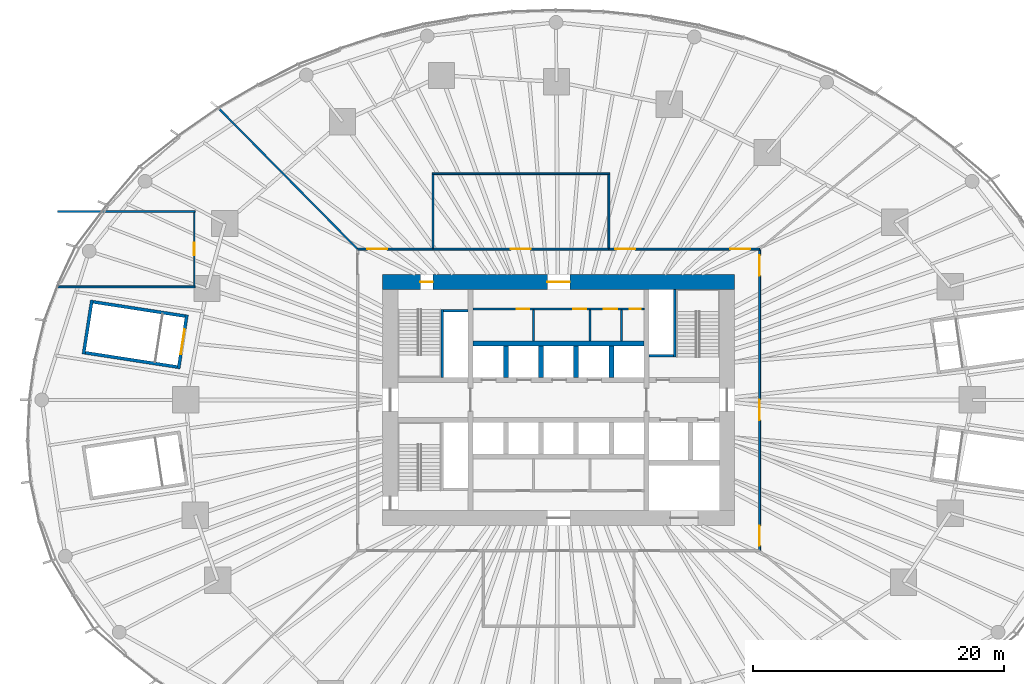
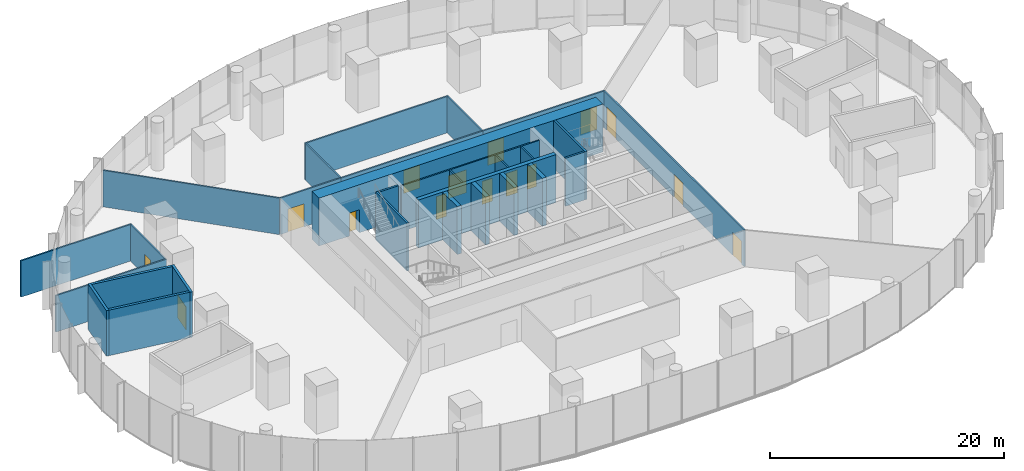
# One storey, part 13 of 27: 29 walls, 15 doors, 15 openings.
"""IFC4 building model written with IfcOpenShell, lengths in metres."""

from ifc_helpers import new_model, si_unit, direction, frame, frame_2d, origin, place, context, subcontext, project, spatial, rectangle, extrude, material, layer, layer_set, type_object, element, fill, save


model = new_model("IFC4")

# Units and contexts
model_context = context("Model", 3, precision=1e-05, world=origin(), true_north=direction((0.0, 1.0)))
body_context = subcontext(model_context, "Body", "Model", "MODEL_VIEW")
ifc_project = project(units=[si_unit("LENGTHUNIT", "METRE"), si_unit("AREAUNIT", "SQUARE_METRE"), si_unit("VOLUMEUNIT", "CUBIC_METRE"), si_unit("PLANEANGLEUNIT", "RADIAN"), si_unit("MASSUNIT", "GRAM", prefix="KILO")], contexts=[model_context])

# Site, building, storey
site_placement = place(None, origin())
site = spatial("IfcSite", under=ifc_project, at=site_placement, CompositionType="ELEMENT")
building_placement = place(site_placement, origin())
building = spatial("IfcBuilding", under=site, at=building_placement, Name="Ghaith Harvest Tower", CompositionType="ELEMENT")
storey_placement = place(building_placement, frame((0.0, 0.0, 10.0)))
storey = spatial("IfcBuildingStorey", under=building, at=storey_placement, Name="L02", CompositionType="ELEMENT", Elevation=10.0)

# Wall, openings, doors
ifc_material_1 = material(Name="Concrete blockwork, fair-faced", Category="masonry")
ifc_layer_1 = layer(ifc_material_1, 0.139892578125)
ifc_layer_set_1 = layer_set([ifc_layer_1], Name="CORE PARTITION 140")
wall_type_1 = type_object("IfcWallType", Name="CORE PARTITION 140", PredefinedType="PARTITIONING", material=ifc_layer_set_1)
wall_1_placement = place(storey_placement, frame((-6.800048828125, 7.22998046875, 0.0), z_axis=(0.0, 0.0, 1.0), x_axis=(1.0, 0.0, 0.0)))
wall_1 = element("IfcWall", 1, at=wall_1_placement, inside=storey, type_object=wall_type_1, Name="Core partition L02", PredefinedType="PARTITIONING", context=body_context, shape_type="SweptSolid", body=[
    extrude(rectangle(XDim=13.60009765625, YDim=0.139892578125, at=frame_2d((6.800048828125, 0.0))), origin(), (0.0, 0.0, 1.0), 4.75),
])
opening_1_placement = place(wall_1_placement, frame((3.47998046875, 0.0, 0.0)))
opening_1 = element("IfcOpeningElement", 2, at=opening_1_placement, cuts=wall_1, Name="Opening 02-008", PredefinedType="OPENING", context=body_context, shape_type="SweptSolid", body=[
    extrude(rectangle(XDim=1.0, YDim=2.39990234375, at=frame_2d((0.5, 1.199951171875))), frame((0.0, 0.080078125, 0.0), z_axis=(0.0, -1.0, 0.0), x_axis=(1.0, 0.0, 0.0)), (0.0, 0.0, 1.0), 0.159912109375),
])
opening_2_placement = place(wall_1_placement, frame((7.97998046875, 0.0, 0.0)))
opening_2 = element("IfcOpeningElement", 3, at=opening_2_placement, cuts=wall_1, Name="Opening 02-009", PredefinedType="OPENING", context=body_context, shape_type="SweptSolid", body=[
    extrude(rectangle(XDim=1.0, YDim=2.39990234375, at=frame_2d((0.5, 1.199951171875))), frame((0.0, 0.080078125, 0.0), z_axis=(0.0, -1.0, 0.0), x_axis=(1.0, 0.0, 0.0)), (0.0, 0.0, 1.0), 0.159912109375),
])
opening_3_placement = place(wall_1_placement, frame((10.3798828125, 0.0, 0.0)))
opening_3 = element("IfcOpeningElement", 4, at=opening_3_placement, cuts=wall_1, Name="Opening 02-010", PredefinedType="OPENING", context=body_context, shape_type="SweptSolid", body=[
    extrude(rectangle(XDim=1.10009765625, YDim=2.39990234375, at=frame_2d((0.550048828125, 1.199951171875))), frame((0.0, 0.080078125, 0.0), z_axis=(0.0, -1.0, 0.0), x_axis=(1.0, 0.0, 0.0)), (0.0, 0.0, 1.0), 0.159912109375),
])
opening_4_placement = place(wall_1_placement, frame((12.449951171875, 0.0, 0.0)))
opening_4 = element("IfcOpeningElement", 5, at=opening_4_placement, cuts=wall_1, Name="Opening 02-011", PredefinedType="OPENING", context=body_context, shape_type="SweptSolid", body=[
    extrude(rectangle(XDim=0.89990234375, YDim=2.39990234375, at=frame_2d((0.449951171875, 1.199951171875))), frame((0.0, 0.080078125, 0.0), z_axis=(0.0, -1.0, 0.0), x_axis=(1.0, 0.0, 0.0)), (0.0, 0.0, 1.0), 0.159912109375),
])
ifc_material_2 = material(Name="Steel fire door", Category="steel")
door_type_1 = type_object("IfcDoorType", Name="D3 FD90 1000x2400", OperationType="SINGLE_SWING_LEFT", PredefinedType="DOOR", material=ifc_material_2)
door_1_placement = place(opening_1_placement, origin())
door_1 = element("IfcDoor", 6, at=door_1_placement, inside=storey, type_object=door_type_1, Name="Male WC door", OperationType="SINGLE_SWING_LEFT", OverallHeight=2.39990234375, OverallWidth=1.0, PredefinedType="DOOR", context=body_context, shape_type="SweptSolid", body=[
    extrude(rectangle(XDim=1.0, YDim=2.39990234375, at=frame_2d((0.5, 1.199951171875))), frame((0.0, 0.02490234375, 0.0), z_axis=(0.0, -1.0, 0.0), x_axis=(1.0, 0.0, 0.0)), (0.0, 0.0, 1.0), 0.050048828125),
])
fill(opening_1, door_1)
door_2_placement = place(opening_2_placement, origin())
door_2 = element("IfcDoor", 7, at=door_2_placement, inside=storey, type_object=door_type_1, Name="Female WC door", OperationType="SINGLE_SWING_RIGHT", OverallHeight=2.39990234375, OverallWidth=1.0, PredefinedType="DOOR", context=body_context, shape_type="SweptSolid", body=[
    extrude(rectangle(XDim=1.0, YDim=2.39990234375, at=frame_2d((0.5, 1.199951171875))), frame((0.0, 0.02490234375, 0.0), z_axis=(0.0, -1.0, 0.0), x_axis=(1.0, 0.0, 0.0)), (0.0, 0.0, 1.0), 0.050048828125),
])
fill(opening_2, door_2)
ifc_material_3 = material(Name="Steel fire door", Category="steel")
door_type_2 = type_object("IfcDoorType", Name="D5 FD90 900x2400", OperationType="SINGLE_SWING_LEFT", PredefinedType="DOOR", material=ifc_material_3)
door_3_placement = place(opening_4_placement, origin())
door_3 = element("IfcDoor", 8, at=door_3_placement, inside=storey, type_object=door_type_2, Name="Cleaner's store door", OperationType="SINGLE_SWING_RIGHT", OverallHeight=2.39990234375, OverallWidth=0.89990234375, PredefinedType="DOOR", context=body_context, shape_type="SweptSolid", body=[
    extrude(rectangle(XDim=0.89990234375, YDim=2.39990234375, at=frame_2d((0.449951171875, 1.199951171875))), frame((0.0, 0.02490234375, 0.0), z_axis=(0.0, -1.0, 0.0), x_axis=(1.0, 0.0, 0.0)), (0.0, 0.0, 1.0), 0.050048828125),
])
fill(opening_4, door_3)
ifc_material_4 = material(Name="Steel fire door", Category="steel")
door_type_3 = type_object("IfcDoorType", Name="D9 FD90 1100x2400", OperationType="SINGLE_SWING_LEFT", PredefinedType="DOOR", material=ifc_material_4)
door_4_placement = place(opening_3_placement, origin())
door_4 = element("IfcDoor", 9, at=door_4_placement, inside=storey, type_object=door_type_3, Name="Accessible WC door", OperationType="SINGLE_SWING_RIGHT", OverallHeight=2.39990234375, OverallWidth=1.10009765625, PredefinedType="DOOR", context=body_context, shape_type="SweptSolid", body=[
    extrude(rectangle(XDim=1.10009765625, YDim=2.39990234375, at=frame_2d((0.550048828125, 1.199951171875))), frame((0.0, 0.02490234375, 0.0), z_axis=(0.0, -1.0, 0.0), x_axis=(1.0, 0.0, 0.0)), (0.0, 0.0, 1.0), 0.050048828125),
])
fill(opening_3, door_4)

# Walls
for number, where, z_axis, x_axis, name in (
    (10, (-2.0, 4.699951171875, 0.0), (0.0, 0.0, 1.0), (0.0, 1.0, 0.0), "Core partition L02"),
    (11, (2.5, 4.699951171875, 0.0), (0.0, 0.0, 1.0), (0.0, 1.0, 0.0), "Core partition L02"),
    (12, (5.0, 4.699951171875, 0.0), (0.0, 0.0, 1.0), (0.0, 1.0, 0.0), "Core partition L02"),
):
    element("IfcWall", number, at=place(storey_placement, frame(where, z_axis=z_axis, x_axis=x_axis)), inside=storey, type_object=wall_type_1, Name=name, PredefinedType="PARTITIONING", context=body_context, shape_type="SweptSolid", body=[
        extrude(rectangle(XDim=2.4599609375, YDim=0.139892578125, at=frame_2d((1.22998046875, 0.0))), origin(), (0.0, 0.0, 1.0), 4.75),
    ])

# Wall, openings, doors
ifc_material_5 = material(Name="Concrete C70/85", Category="concrete")
ifc_layer_2 = layer(ifc_material_5, 1.199951171875)
ifc_layer_set_2 = layer_set([ifc_layer_2], Name="CORE WALL CW1200")
wall_type_2 = type_object("IfcWallType", Name="CORE WALL CW1200", PredefinedType="SHEAR", material=ifc_layer_set_2)
wall_2_placement = place(storey_placement, frame((14.0, 9.39990234375, 0.0), z_axis=(0.0, 0.0, 1.0), x_axis=(-1.0, 0.0, 0.0)))
wall_2 = element("IfcWall", 13, at=wall_2_placement, inside=storey, type_object=wall_type_2, Name="Core wall N L02", PredefinedType="SHEAR", context=body_context, shape_type="SweptSolid", body=[
    extrude(rectangle(XDim=28.0, YDim=1.199951171875, at=frame_2d((14.0, 0.0))), origin(), (0.0, 0.0, 1.0), 5.0),
])
opening_5_placement = place(wall_2_placement, frame((24.0, 0.0, 0.0)))
opening_5 = element("IfcOpeningElement", 14, at=opening_5_placement, cuts=wall_2, Name="Opening 02-005", PredefinedType="OPENING", context=body_context, shape_type="SweptSolid", body=[
    extrude(rectangle(XDim=1.0, YDim=2.39990234375, at=frame_2d((0.5, 1.199951171875))), frame((0.0, 0.60986328125, 0.0), z_axis=(0.0, -1.0, 0.0), x_axis=(1.0, 0.0, 0.0)), (0.0, 0.0, 1.0), 1.219970703125),
])
opening_6_placement = place(wall_2_placement, frame((13.10009765625, 0.0, 0.0)))
opening_6 = element("IfcOpeningElement", 15, at=opening_6_placement, cuts=wall_2, Name="Opening 02-015", PredefinedType="OPENING", context=body_context, shape_type="SweptSolid", body=[
    extrude(rectangle(XDim=1.800048828125, YDim=2.39990234375, at=frame_2d((0.89990234375, 1.199951171875))), frame((0.0, 0.60986328125, 0.0), z_axis=(0.0, -1.0, 0.0), x_axis=(1.0, 0.0, 0.0)), (0.0, 0.0, 1.0), 1.219970703125),
])
door_5_placement = place(opening_5_placement, origin())
door_5 = element("IfcDoor", 16, at=door_5_placement, inside=storey, type_object=door_type_1, Name="Stair ST1 door", OperationType="SINGLE_SWING_RIGHT", OverallHeight=2.39990234375, OverallWidth=1.0, PredefinedType="DOOR", context=body_context, shape_type="SweptSolid", body=[
    extrude(rectangle(XDim=1.0, YDim=2.39990234375, at=frame_2d((0.5, 1.199951171875))), frame((0.0, 0.02490234375, 0.0), z_axis=(0.0, -1.0, 0.0), x_axis=(1.0, 0.0, 0.0)), (0.0, 0.0, 1.0), 0.050048828125),
])
fill(opening_5, door_5)
ifc_material_6 = material(Name="Steel fire door", Category="steel")
door_type_4 = type_object("IfcDoorType", Name="D4 FD90 PAIR 1800x2400", OperationType="DOUBLE_DOOR_SINGLE_SWING", PredefinedType="DOOR", material=ifc_material_6)
door_6_placement = place(opening_6_placement, origin())
door_6 = element("IfcDoor", 17, at=door_6_placement, inside=storey, type_object=door_type_4, Name="Core service corridor doors", OperationType="DOUBLE_DOOR_SINGLE_SWING", OverallHeight=2.39990234375, OverallWidth=1.800048828125, PredefinedType="DOOR", context=body_context, shape_type="SweptSolid", body=[
    extrude(rectangle(XDim=1.800048828125, YDim=2.39990234375, at=frame_2d((0.89990234375, 1.199951171875))), frame((0.0, 0.02490234375, 0.0), z_axis=(0.0, -1.0, 0.0), x_axis=(1.0, 0.0, 0.0)), (0.0, 0.0, 1.0), 0.050048828125),
])
fill(opening_6, door_6)

# Wall
ifc_material_7 = material(Name="Gypsum board on steel studs", Category="steel")
ifc_layer_3 = layer(ifc_material_7, 0.14990234375)
ifc_layer_set_3 = layer_set([ifc_layer_3], Name="PARTITION 150")
wall_type_3 = type_object("IfcWallType", Name="PARTITION 150", PredefinedType="PARTITIONING", material=ifc_layer_set_3)
wall_3_placement = place(storey_placement, frame((-16.013916015625, 12.01416015625, 0.0), z_axis=(0.0, 0.0, 1.0), x_axis=(-0.702408551969, 0.711773999329, 0.0)))
element("IfcWall", 18, at=wall_3_placement, inside=storey, type_object=wall_type_3, Name="Partition L02 zone division", PredefinedType="PARTITIONING", context=body_context, shape_type="SweptSolid", body=[
    extrude(rectangle(XDim=15.640869140625, YDim=0.14990234375, at=frame_2d((7.8203125, 0.0))), origin(), (0.0, 0.0, 1.0), 3.800048828125),
])

# Wall, opening, door
wall_4_placement = place(storey_placement, frame((-10.0, 12.0, 0.0), z_axis=(0.0, 0.0, 1.0), x_axis=(-1.0, 0.0, 0.0)))
wall_4 = element("IfcWall", 19, at=wall_4_placement, inside=storey, type_object=wall_type_3, Name="Partition L02 zone enclosure", PredefinedType="PARTITIONING", context=body_context, shape_type="SweptSolid", body=[
    extrude(rectangle(XDim=6.0, YDim=0.14990234375, at=frame_2d((3.0, 0.0))), origin(), (0.0, 0.0, 1.0), 3.800048828125),
])
opening_7_placement = place(wall_4_placement, frame((3.64990234375, 0.0, 0.0)))
opening_7 = element("IfcOpeningElement", 20, at=opening_7_placement, cuts=wall_4, Name="Opening 02-032", PredefinedType="OPENING", context=body_context, shape_type="SweptSolid", body=[
    extrude(rectangle(XDim=1.60009765625, YDim=2.39990234375, at=frame_2d((0.800048828125, 1.199951171875))), frame((0.0, 0.0849609375, 0.0), z_axis=(0.0, -1.0, 0.0), x_axis=(1.0, 0.0, 0.0)), (0.0, 0.0, 1.0), 0.169921875),
])
ifc_material_8 = material(Name="Timber door", Category="wood")
door_type_5 = type_object("IfcDoorType", Name="D2 PAIR 1600x2400", OperationType="DOUBLE_DOOR_SINGLE_SWING", PredefinedType="DOOR", material=ifc_material_8)
door_7_placement = place(opening_7_placement, origin())
door_7 = element("IfcDoor", 21, at=door_7_placement, inside=storey, type_object=door_type_5, Name="Farmers' market north door", OperationType="DOUBLE_DOOR_SINGLE_SWING", OverallHeight=2.39990234375, OverallWidth=1.60009765625, PredefinedType="DOOR", context=body_context, shape_type="SweptSolid", body=[
    extrude(rectangle(XDim=1.60009765625, YDim=2.39990234375, at=frame_2d((0.800048828125, 1.199951171875))), frame((0.0, 0.02490234375, 0.0), z_axis=(0.0, -1.0, 0.0), x_axis=(1.0, 0.0, 0.0)), (0.0, 0.0, 1.0), 0.050048828125),
])
fill(opening_7, door_7)

# Wall, openings, doors
wall_5_placement = place(storey_placement, frame((16.0, 12.0, 0.0), z_axis=(0.0, 0.0, 1.0), x_axis=(-1.0, 0.0, 0.0)))
wall_5 = element("IfcWall", 22, at=wall_5_placement, inside=storey, type_object=wall_type_3, Name="Partition L02 zone enclosure", PredefinedType="PARTITIONING", context=body_context, shape_type="SweptSolid", body=[
    extrude(rectangle(XDim=12.0, YDim=0.14990234375, at=frame_2d((6.0, 0.0))), origin(), (0.0, 0.0, 1.0), 3.800048828125),
])
opening_8_placement = place(wall_5_placement, frame((9.89990234375, 0.0, 0.0)))
opening_8 = element("IfcOpeningElement", 23, at=opening_8_placement, cuts=wall_5, Name="Opening 02-031", PredefinedType="OPENING", context=body_context, shape_type="SweptSolid", body=[
    extrude(rectangle(XDim=1.60009765625, YDim=2.39990234375, at=frame_2d((0.800048828125, 1.199951171875))), frame((0.0, 0.0849609375, 0.0), z_axis=(0.0, -1.0, 0.0), x_axis=(1.0, 0.0, 0.0)), (0.0, 0.0, 1.0), 0.169921875),
])
opening_9_placement = place(wall_5_placement, frame((0.75, 0.0, 0.0)))
opening_9 = element("IfcOpeningElement", 24, at=opening_9_placement, cuts=wall_5, Name="Opening 02-033", PredefinedType="OPENING", context=body_context, shape_type="SweptSolid", body=[
    extrude(rectangle(XDim=1.60009765625, YDim=2.39990234375, at=frame_2d((0.800048828125, 1.199951171875))), frame((0.0, 0.0849609375, 0.0), z_axis=(0.0, -1.0, 0.0), x_axis=(1.0, 0.0, 0.0)), (0.0, 0.0, 1.0), 0.169921875),
])
door_8_placement = place(opening_8_placement, origin())
door_8 = element("IfcDoor", 25, at=door_8_placement, inside=storey, type_object=door_type_5, Name="Farmers' market north door", OperationType="DOUBLE_DOOR_SINGLE_SWING", OverallHeight=2.39990234375, OverallWidth=1.60009765625, PredefinedType="DOOR", context=body_context, shape_type="SweptSolid", body=[
    extrude(rectangle(XDim=1.60009765625, YDim=2.39990234375, at=frame_2d((0.800048828125, 1.199951171875))), frame((0.0, 0.02490234375, 0.0), z_axis=(0.0, -1.0, 0.0), x_axis=(1.0, 0.0, 0.0)), (0.0, 0.0, 1.0), 0.050048828125),
])
fill(opening_8, door_8)
door_9_placement = place(opening_9_placement, origin())
door_9 = element("IfcDoor", 26, at=door_9_placement, inside=storey, type_object=door_type_5, Name="Farmers' market north door", OperationType="DOUBLE_DOOR_SINGLE_SWING", OverallHeight=2.39990234375, OverallWidth=1.60009765625, PredefinedType="DOOR", context=body_context, shape_type="SweptSolid", body=[
    extrude(rectangle(XDim=1.60009765625, YDim=2.39990234375, at=frame_2d((0.800048828125, 1.199951171875))), frame((0.0, 0.02490234375, 0.0), z_axis=(0.0, -1.0, 0.0), x_axis=(1.0, 0.0, 0.0)), (0.0, 0.0, 1.0), 0.050048828125),
])
fill(opening_9, door_9)

wall_6_placement = place(storey_placement, frame((16.0, -12.0, 0.0), z_axis=(0.0, 0.0, 1.0), x_axis=(0.0, 1.0, 0.0)))
wall_6 = element("IfcWall", 27, at=wall_6_placement, inside=storey, type_object=wall_type_3, Name="Partition L02 zone enclosure", PredefinedType="PARTITIONING", context=body_context, shape_type="SweptSolid", body=[
    extrude(rectangle(XDim=24.0, YDim=0.14990234375, at=frame_2d((12.0, 0.0))), origin(), (0.0, 0.0, 1.0), 3.800048828125),
])
opening_10_placement = place(wall_6_placement, frame((10.39990234375, 0.0, 0.0)))
opening_10 = element("IfcOpeningElement", 28, at=opening_10_placement, cuts=wall_6, Name="Opening 02-034", PredefinedType="OPENING", context=body_context, shape_type="SweptSolid", body=[
    extrude(rectangle(XDim=1.60009765625, YDim=2.39990234375, at=frame_2d((0.800048828125, 1.199951171875))), frame((0.0, 0.0849609375, 0.0), z_axis=(0.0, -1.0, 0.0), x_axis=(1.0, 0.0, 0.0)), (0.0, 0.0, 1.0), 0.169921875),
])
opening_11_placement = place(wall_6_placement, frame((21.89990234375, 0.0, 0.0)))
opening_11 = element("IfcOpeningElement", 29, at=opening_11_placement, cuts=wall_6, Name="Opening 02-035", PredefinedType="OPENING", context=body_context, shape_type="SweptSolid", body=[
    extrude(rectangle(XDim=1.60009765625, YDim=2.39990234375, at=frame_2d((0.800048828125, 1.199951171875))), frame((0.0, 0.0849609375, 0.0), z_axis=(0.0, -1.0, 0.0), x_axis=(1.0, 0.0, 0.0)), (0.0, 0.0, 1.0), 0.169921875),
])
opening_12_placement = place(wall_6_placement, frame((0.39990234375, 0.0, 0.0)))
opening_12 = element("IfcOpeningElement", 30, at=opening_12_placement, cuts=wall_6, Name="Opening 02-036", PredefinedType="OPENING", context=body_context, shape_type="SweptSolid", body=[
    extrude(rectangle(XDim=1.60009765625, YDim=2.39990234375, at=frame_2d((0.800048828125, 1.199951171875))), frame((0.0, 0.0849609375, 0.0), z_axis=(0.0, -1.0, 0.0), x_axis=(1.0, 0.0, 0.0)), (0.0, 0.0, 1.0), 0.169921875),
])
door_10_placement = place(opening_10_placement, origin())
door_10 = element("IfcDoor", 31, at=door_10_placement, inside=storey, type_object=door_type_5, Name="Date and spice market east door", OperationType="DOUBLE_DOOR_SINGLE_SWING", OverallHeight=2.39990234375, OverallWidth=1.60009765625, PredefinedType="DOOR", context=body_context, shape_type="SweptSolid", body=[
    extrude(rectangle(XDim=1.60009765625, YDim=2.39990234375, at=frame_2d((0.800048828125, 1.199951171875))), frame((0.0, 0.02490234375, 0.0), z_axis=(0.0, -1.0, 0.0), x_axis=(1.0, 0.0, 0.0)), (0.0, 0.0, 1.0), 0.050048828125),
])
fill(opening_10, door_10)
door_11_placement = place(opening_11_placement, origin())
door_11 = element("IfcDoor", 32, at=door_11_placement, inside=storey, type_object=door_type_5, Name="Date and spice market east door", OperationType="DOUBLE_DOOR_SINGLE_SWING", OverallHeight=2.39990234375, OverallWidth=1.60009765625, PredefinedType="DOOR", context=body_context, shape_type="SweptSolid", body=[
    extrude(rectangle(XDim=1.60009765625, YDim=2.39990234375, at=frame_2d((0.800048828125, 1.199951171875))), frame((0.0, 0.02490234375, 0.0), z_axis=(0.0, -1.0, 0.0), x_axis=(1.0, 0.0, 0.0)), (0.0, 0.0, 1.0), 0.050048828125),
])
fill(opening_11, door_11)
door_12_placement = place(opening_12_placement, origin())
door_12 = element("IfcDoor", 33, at=door_12_placement, inside=storey, type_object=door_type_5, Name="Date and spice market east door", OperationType="DOUBLE_DOOR_SINGLE_SWING", OverallHeight=2.39990234375, OverallWidth=1.60009765625, PredefinedType="DOOR", context=body_context, shape_type="SweptSolid", body=[
    extrude(rectangle(XDim=1.60009765625, YDim=2.39990234375, at=frame_2d((0.800048828125, 1.199951171875))), frame((0.0, 0.02490234375, 0.0), z_axis=(0.0, -1.0, 0.0), x_axis=(1.0, 0.0, 0.0)), (0.0, 0.0, 1.0), 0.050048828125),
])
fill(opening_12, door_12)

# Wall, opening, door
wall_7_placement = place(storey_placement, frame((-10.074951171875, 12.0, 0.0), z_axis=(0.0, 0.0, 1.0), x_axis=(1.0, 0.0, 0.0)))
wall_7 = element("IfcWall", 34, at=wall_7_placement, inside=storey, type_object=wall_type_3, Name="Partition L02-01", PredefinedType="PARTITIONING", context=body_context, shape_type="SweptSolid", body=[
    extrude(rectangle(XDim=14.14990234375, YDim=0.14990234375, at=frame_2d((7.074951171875, 0.0))), origin(), (0.0, 0.0, 1.0), 3.800048828125),
])
opening_13_placement = place(wall_7_placement, frame((6.27490234375, 0.0, 0.0)))
opening_13 = element("IfcOpeningElement", 35, at=opening_13_placement, cuts=wall_7, Name="Opening 02-028", PredefinedType="OPENING", context=body_context, shape_type="SweptSolid", body=[
    extrude(rectangle(XDim=1.60009765625, YDim=2.39990234375, at=frame_2d((0.800048828125, 1.199951171875))), frame((0.0, 0.0849609375, 0.0), z_axis=(0.0, -1.0, 0.0), x_axis=(1.0, 0.0, 0.0)), (0.0, 0.0, 1.0), 0.169921875),
])
door_13_placement = place(opening_13_placement, origin())
door_13 = element("IfcDoor", 36, at=door_13_placement, inside=storey, type_object=door_type_5, Name="Teaching kitchen door", OperationType="DOUBLE_DOOR_SINGLE_SWING", OverallHeight=2.39990234375, OverallWidth=1.60009765625, PredefinedType="DOOR", context=body_context, shape_type="SweptSolid", body=[
    extrude(rectangle(XDim=1.60009765625, YDim=2.39990234375, at=frame_2d((0.800048828125, 1.199951171875))), frame((0.0, 0.02490234375, 0.0), z_axis=(0.0, -1.0, 0.0), x_axis=(1.0, 0.0, 0.0)), (0.0, 0.0, 1.0), 0.050048828125),
])
fill(opening_13, door_13)

# Walls
wall_8_placement = place(storey_placement, frame((-10.074951171875, 18.0, 0.0), z_axis=(0.0, 0.0, 1.0), x_axis=(1.0, 0.0, 0.0)))
element("IfcWall", 37, at=wall_8_placement, inside=storey, type_object=wall_type_3, Name="Partition L02-01", PredefinedType="PARTITIONING", context=body_context, shape_type="SweptSolid", body=[
    extrude(rectangle(XDim=14.14990234375, YDim=0.14990234375, at=frame_2d((7.074951171875, 0.0))), origin(), (0.0, 0.0, 1.0), 3.800048828125),
])
for number, where, z_axis, x_axis, name in (
    (38, (-10.0, 12.074951171875, 0.0), (0.0, 0.0, 1.0), (0.0, 1.0, 0.0), "Partition L02-01"),
    (39, (4.0, 12.074951171875, 0.0), (0.0, 0.0, 1.0), (0.0, 1.0, 0.0), "Partition L02-01"),
):
    element("IfcWall", number, at=place(storey_placement, frame(where, z_axis=z_axis, x_axis=x_axis)), inside=storey, type_object=wall_type_3, Name=name, PredefinedType="PARTITIONING", context=body_context, shape_type="SweptSolid", body=[
        extrude(rectangle(XDim=5.85009765625, YDim=0.14990234375, at=frame_2d((2.925048828125, 0.0))), origin(), (0.0, 0.0, 1.0), 3.800048828125),
    ])
for number, where, z_axis, x_axis, name in (
    (40, (-39.866455078125, 9.0, 0.0), (0.0, 0.0, 1.0), (1.0, 0.0, 0.0), "Partition L02-03"),
    (41, (-39.866455078125, 15.0, 0.0), (0.0, 0.0, 1.0), (1.0, 0.0, 0.0), "Partition L02-03"),
):
    element("IfcWall", number, at=place(storey_placement, frame(where, z_axis=z_axis, x_axis=x_axis)), inside=storey, type_object=wall_type_3, Name=name, PredefinedType="PARTITIONING", context=body_context, shape_type="SweptSolid", body=[
        extrude(rectangle(XDim=10.94140625, YDim=0.14990234375, at=frame_2d((5.470703125, 0.0))), origin(), (0.0, 0.0, 1.0), 3.800048828125),
    ])

# Wall, opening, door
wall_9_placement = place(storey_placement, frame((-29.0, 9.074951171875, 0.0), z_axis=(0.0, 0.0, 1.0), x_axis=(0.0, 1.0, 0.0)))
wall_9 = element("IfcWall", 42, at=wall_9_placement, inside=storey, type_object=wall_type_3, Name="Partition L02-03", PredefinedType="PARTITIONING", context=body_context, shape_type="SweptSolid", body=[
    extrude(rectangle(XDim=5.85009765625, YDim=0.14990234375, at=frame_2d((2.925048828125, 0.0))), origin(), (0.0, 0.0, 1.0), 3.800048828125),
])
opening_14_placement = place(wall_9_placement, frame((2.425048828125, 0.0, 0.0)))
opening_14 = element("IfcOpeningElement", 43, at=opening_14_placement, cuts=wall_9, Name="Opening 02-030", PredefinedType="OPENING", context=body_context, shape_type="SweptSolid", body=[
    extrude(rectangle(XDim=1.0, YDim=2.199951171875, at=frame_2d((0.5, 1.10009765625))), frame((0.0, 0.0849609375, 0.0), z_axis=(0.0, -1.0, 0.0), x_axis=(1.0, 0.0, 0.0)), (0.0, 0.0, 1.0), 0.169921875),
])
ifc_material_9 = material(Name="Timber door", Category="wood")
door_type_6 = type_object("IfcDoorType", Name="D1 SINGLE 1000x2200", OperationType="SINGLE_SWING_LEFT", PredefinedType="DOOR", material=ifc_material_9)
door_14_placement = place(opening_14_placement, origin())
door_14 = element("IfcDoor", 44, at=door_14_placement, inside=storey, type_object=door_type_6, Name="Market back-of-house store door", OperationType="SINGLE_SWING_LEFT", OverallHeight=2.199951171875, OverallWidth=1.0, PredefinedType="DOOR", context=body_context, shape_type="SweptSolid", body=[
    extrude(rectangle(XDim=1.0, YDim=2.199951171875, at=frame_2d((0.5, 1.10009765625))), frame((0.0, 0.02490234375, 0.0), z_axis=(0.0, -1.0, 0.0), x_axis=(1.0, 0.0, 0.0)), (0.0, 0.0, 1.0), 0.050048828125),
])
fill(opening_14, door_14)

# Walls
ifc_material_10 = material(Name="Concrete C70/85", Category="concrete")
ifc_layer_4 = layer(ifc_material_10, 0.39990234375)
ifc_layer_set_4 = layer_set([ifc_layer_4], Name="SHAFT WALL 400")
wall_type_4 = type_object("IfcWallType", Name="SHAFT WALL 400", PredefinedType="SHEAR", material=ifc_layer_set_4)
wall_10_placement = place(storey_placement, frame((-6.800048828125, 4.5, 0.0), z_axis=(0.0, 0.0, 1.0), x_axis=(1.0, 0.0, 0.0)))
element("IfcWall", 45, at=wall_10_placement, inside=storey, type_object=wall_type_4, Name="Shaft wall BN L02", PredefinedType="SHEAR", context=body_context, shape_type="SweptSolid", body=[
    extrude(rectangle(XDim=13.60009765625, YDim=0.39990234375, at=frame_2d((6.800048828125, 0.0))), origin(), (0.0, 0.0, 1.0), 5.0),
])
for number, where, z_axis, x_axis, name in (
    (46, (-4.199951171875, 1.800048828125, 0.0), (0.0, 0.0, 1.0), (0.0, 1.0, 0.0), "Shaft wall DN1 L02"),
    (47, (-1.39990234375, 1.800048828125, 0.0), (0.0, 0.0, 1.0), (0.0, 1.0, 0.0), "Shaft wall DN2 L02"),
    (48, (1.39990234375, 1.800048828125, 0.0), (0.0, 0.0, 1.0), (0.0, 1.0, 0.0), "Shaft wall DN3 L02"),
    (49, (4.199951171875, 1.800048828125, 0.0), (0.0, 0.0, 1.0), (0.0, 1.0, 0.0), "Shaft wall DN4 L02"),
):
    element("IfcWall", number, at=place(storey_placement, frame(where, z_axis=z_axis, x_axis=x_axis)), inside=storey, type_object=wall_type_4, Name=name, PredefinedType="SHEAR", context=body_context, shape_type="SweptSolid", body=[
        extrude(rectangle(XDim=2.5, YDim=0.39990234375, at=frame_2d((1.25, 0.0))), origin(), (0.0, 0.0, 1.0), 5.0),
    ])

# Wall, opening, door
ifc_material_11 = material(Name="Concrete C40/50", Category="concrete")
ifc_layer_5 = layer(ifc_material_11, 0.25)
ifc_layer_set_5 = layer_set([ifc_layer_5], Name="STAIR ENCLOSURE WALL RC250")
wall_type_5 = type_object("IfcWallType", Name="STAIR ENCLOSURE WALL RC250", PredefinedType="SOLIDWALL", material=ifc_layer_set_5)
wall_11_placement = place(storey_placement, frame((-29.5869140625, 6.777099609375, 0.0), z_axis=(0.0, 0.0, 1.0), x_axis=(-0.152820464277, -0.988253968218, 0.0)))
wall_11 = element("IfcWall", 50, at=wall_11_placement, inside=storey, type_object=wall_type_5, Name="Stair PS2 enclosure wall L02", PredefinedType="SOLIDWALL", context=body_context, shape_type="SweptSolid", body=[
    extrude(rectangle(XDim=4.35009765625, YDim=0.25, at=frame_2d((2.175048828125, 0.0))), origin(), (0.0, 0.0, 1.0), 4.75),
])
opening_15_placement = place(wall_11_placement, frame((1.175048828125, 0.0, 0.0)))
opening_15 = element("IfcOpeningElement", 51, at=opening_15_placement, cuts=wall_11, Name="Opening 02-025", PredefinedType="OPENING", context=body_context, shape_type="SweptSolid", body=[
    extrude(rectangle(XDim=2.0, YDim=2.39990234375, at=frame_2d((1.0, 1.199951171875))), frame((0.0, 0.135009765625, 0.0), z_axis=(0.0, -1.0, 0.0), x_axis=(1.0, 0.0, 0.0)), (0.0, 0.0, 1.0), 0.27001953125),
])
ifc_material_12 = material(Name="Steel fire door", Category="steel")
door_type_7 = type_object("IfcDoorType", Name="D8 FD90 PAIR 2000x2400", OperationType="DOUBLE_DOOR_SINGLE_SWING", PredefinedType="DOOR", material=ifc_material_12)
door_15_placement = place(opening_15_placement, origin())
door_15 = element("IfcDoor", 52, at=door_15_placement, inside=storey, type_object=door_type_7, Name="Stair PS2 doors", OperationType="DOUBLE_DOOR_SINGLE_SWING", OverallHeight=2.39990234375, OverallWidth=2.0, PredefinedType="DOOR", context=body_context, shape_type="SweptSolid", body=[
    extrude(rectangle(XDim=2.0, YDim=2.39990234375, at=frame_2d((1.0, 1.199951171875))), frame((0.0, 0.02490234375, 0.0), z_axis=(0.0, -1.0, 0.0), x_axis=(1.0, 0.0, 0.0)), (0.0, 0.0, 1.0), 0.050048828125),
])
fill(opening_15, door_15)

# Walls
wall_12_placement = place(storey_placement, frame((-37.811767578125, 3.6474609375, 0.0), z_axis=(0.0, 0.0, 1.0), x_axis=(0.152828940605, 0.988252657428, 0.0)))
element("IfcWall", 53, at=wall_12_placement, inside=storey, type_object=wall_type_5, Name="Stair PS2 enclosure wall L02", PredefinedType="SOLIDWALL", context=body_context, shape_type="SweptSolid", body=[
    extrude(rectangle(XDim=4.349853515625, YDim=0.25, at=frame_2d((2.1748046875, 0.0))), origin(), (0.0, 0.0, 1.0), 4.75),
])
for number, where, z_axis, x_axis, name in (
    (54, (-29.7294921875, 6.672607421875, 0.0), (0.0, 0.0, 1.0), (-0.988248943707, 0.152852953068, 0.0), "Stair PS2 enclosure wall L02"),
    (55, (-37.669189453125, 3.751953125, 0.0), (0.0, 0.0, 1.0), (0.988248943707, -0.152852953068, 0.0), "Stair PS2 enclosure wall L02"),
):
    element("IfcWall", number, at=place(storey_placement, frame(where, z_axis=z_axis, x_axis=x_axis)), inside=storey, type_object=wall_type_5, Name=name, PredefinedType="SOLIDWALL", context=body_context, shape_type="SweptSolid", body=[
        extrude(rectangle(XDim=7.39990234375, YDim=0.25, at=frame_2d((3.699951171875, 0.0))), origin(), (0.0, 0.0, 1.0), 4.75),
    ])
ifc_material_13 = material(Name="Concrete C40/50", Category="concrete")
ifc_layer_6 = layer(ifc_material_13, 0.199951171875)
ifc_layer_set_6 = layer_set([ifc_layer_6], Name="STAIR SPINE WALL RC200")
wall_type_6 = type_object("IfcWallType", Name="STAIR SPINE WALL RC200", PredefinedType="SOLIDWALL", material=ifc_layer_set_6)
wall_13_placement = place(storey_placement, frame((-9.25, 7.199951171875, 0.0), z_axis=(0.0, 0.0, 1.0), x_axis=(0.0, -1.0, 0.0)))
element("IfcWall", 56, at=wall_13_placement, inside=storey, type_object=wall_type_6, Name="Stair ST1 spine wall L02", PredefinedType="SOLIDWALL", context=body_context, shape_type="SweptSolid", body=[
    extrude(rectangle(XDim=5.39990234375, YDim=0.199951171875, at=frame_2d((2.699951171875, 0.0))), origin(), (0.0, 0.0, 1.0), 5.0),
])
wall_14_placement = place(storey_placement, frame((-9.14990234375, 7.10009765625, 0.0), z_axis=(0.0, 0.0, 1.0), x_axis=(1.0, 0.0, 0.0)))
element("IfcWall", 57, at=wall_14_placement, inside=storey, type_object=wall_type_6, Name="Stair ST1 spine wall return L02", PredefinedType="SOLIDWALL", context=body_context, shape_type="SweptSolid", body=[
    extrude(rectangle(XDim=1.949951171875, YDim=0.199951171875, at=frame_2d((0.97509765625, 0.0))), origin(), (0.0, 0.0, 1.0), 5.0),
])
wall_15_placement = place(storey_placement, frame((9.25, 3.39990234375, 0.0), z_axis=(0.0, 0.0, 1.0), x_axis=(0.0, 1.0, 0.0)))
element("IfcWall", 58, at=wall_15_placement, inside=storey, type_object=wall_type_6, Name="Stair ST2 spine wall L02", PredefinedType="SOLIDWALL", context=body_context, shape_type="SweptSolid", body=[
    extrude(rectangle(XDim=5.400146484375, YDim=0.199951171875, at=frame_2d((2.7001953125, 0.0))), origin(), (0.0, 0.0, 1.0), 5.0),
])
wall_16_placement = place(storey_placement, frame((9.14990234375, 3.5, 0.0), z_axis=(0.0, 0.0, 1.0), x_axis=(-1.0, 0.0, 0.0)))
element("IfcWall", 59, at=wall_16_placement, inside=storey, type_object=wall_type_6, Name="Stair ST2 spine wall return L02", PredefinedType="SOLIDWALL", context=body_context, shape_type="SweptSolid", body=[
    extrude(rectangle(XDim=1.949951171875, YDim=0.199951171875, at=frame_2d((0.97509765625, 0.0))), origin(), (0.0, 0.0, 1.0), 5.0),
])

save(model, "model.ifc")
